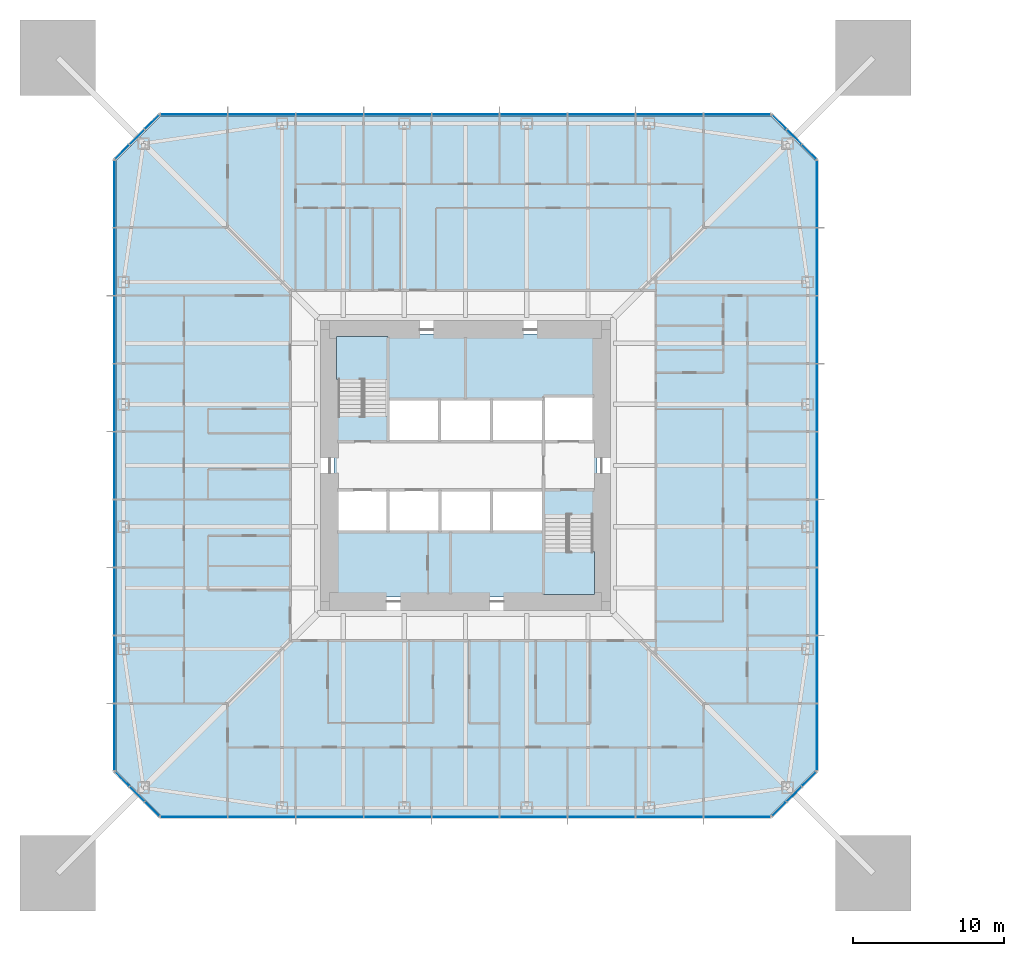
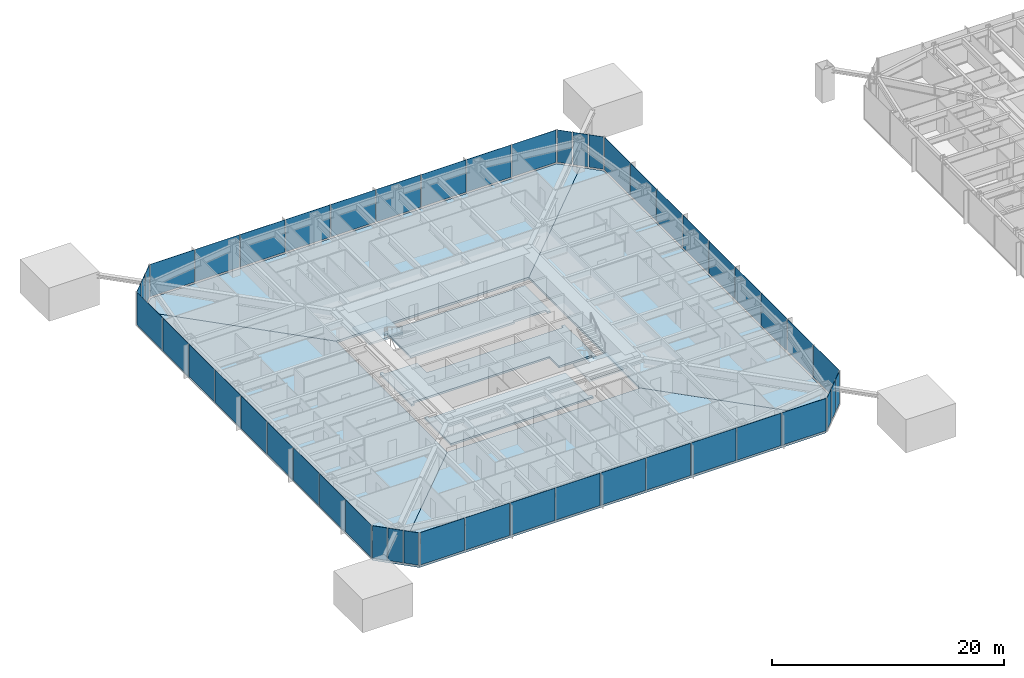
# One storey, part 12 of 26: 48 plates, 9 slabs, 10 elements without a shape of their own.
"""IFC4 building model written with IfcOpenShell, lengths in metres."""

from ifc_helpers import new_model, si_unit, direction, frame, origin, origin_2d, place, context, subcontext, project, spatial, polyline, rectangle, outline, extrude, material, layer, layer_set, constituent, constituent_set, type_object, element, aggregate, save


model = new_model("IFC4")

# Units and contexts
model_context = context("Model", 3, precision=1e-05, world=origin(), true_north=direction((0.0, 1.0)))
body_context = subcontext(model_context, "Body", "Model", "MODEL_VIEW")
ifc_project = project(units=[si_unit("LENGTHUNIT", "METRE"), si_unit("AREAUNIT", "SQUARE_METRE"), si_unit("VOLUMEUNIT", "CUBIC_METRE"), si_unit("PLANEANGLEUNIT", "RADIAN"), si_unit("MASSUNIT", "GRAM", prefix="KILO")], contexts=[model_context])

# Site, building, storey
site_placement = place(None, origin())
site = spatial("IfcSite", under=ifc_project, at=site_placement, CompositionType="ELEMENT")
building_placement = place(site_placement, origin())
building = spatial("IfcBuilding", under=site, at=building_placement, Name="Iwan Alto Co-Living Towers", CompositionType="ELEMENT")
storey_placement = place(building_placement, frame((0.0, 0.0, 67.5)))
storey = spatial("IfcBuildingStorey", under=building, at=storey_placement, Name="L18", CompositionType="ELEMENT", Elevation=67.5)

# Slabs
ifc_material_1 = material(Name="Concrete f'c 30 MPa", Category="concrete")
ifc_layer_1 = layer(ifc_material_1, 0.199951171875)
ifc_layer_set_1 = layer_set([ifc_layer_1], Name="CORE FLOOR SLAB 200")
slab_type_1 = type_object("IfcSlabType", Name="CORE FLOOR SLAB 200", PredefinedType="FLOOR", material=ifc_layer_set_1)
slab_1_placement = place(storey_placement, frame((0.0, 0.0, -0.199951171875)))
element("IfcSlab", 1, at=slab_1_placement, inside=storey, type_object=slab_type_1, Name="T1 core floor L18", PredefinedType="FLOOR", context=body_context, shape_type="SweptSolid", body=[
    extrude(outline(polyline([(8.699951171875, -3.580078125), (8.39990234375, -3.580078125), (8.39990234375, -3.27001953125), (5.14990234375, -3.27001953125), (5.14990234375, -1.60009765625), (1.72509765625, -1.60009765625), (-1.699951171875, -1.60009765625), (-5.125, -1.60009765625), (-8.39990234375, -1.60009765625), (-8.39990234375, -1.909912109375), (-8.699951171875, -1.909912109375), (-8.699951171875, 3.580078125), (-8.39990234375, 3.580078125), (-8.39990234375, 3.27001953125), (-5.14990234375, 3.27001953125), (-5.14990234375, 1.60009765625), (-1.717041015625, 1.60009765625), (1.717041015625, 1.60009765625), (5.14990234375, 1.60009765625), (8.39990234375, 1.60009765625), (8.39990234375, 1.909912109375), (8.699951171875, 1.909912109375), (8.699951171875, -3.580078125)])), origin(), (0.0, 0.0, 1.0), 0.199951171875),
])
slab_2_placement = place(storey_placement, frame((0.0, 0.0, -0.199951171875)))
element("IfcSlab", 2, at=slab_2_placement, inside=storey, type_object=slab_type_1, Name="T1 core floor L18", PredefinedType="FLOOR", context=body_context, shape_type="SweptSolid", body=[
    extrude(outline(polyline([(-1.699951171875, -4.39990234375), (1.72509765625, -4.39990234375), (5.14990234375, -4.39990234375), (5.14990234375, -8.39990234375), (5.4599609375, -8.39990234375), (5.4599609375, -8.699951171875), (-8.699951171875, -8.699951171875), (-8.699951171875, -4.090087890625), (-8.39990234375, -4.090087890625), (-8.39990234375, -4.39990234375), (-5.125, -4.39990234375), (-1.699951171875, -4.39990234375)])), origin(), (0.0, 0.0, 1.0), 0.199951171875),
])
slab_3_placement = place(storey_placement, frame((0.0, 0.0, -0.199951171875)))
element("IfcSlab", 3, at=slab_3_placement, inside=storey, type_object=slab_type_1, Name="T1 core floor L18", PredefinedType="FLOOR", context=body_context, shape_type="SweptSolid", body=[
    extrude(outline(polyline([(1.717041015625, 4.39990234375), (-1.717041015625, 4.39990234375), (-5.14990234375, 4.39990234375), (-5.14990234375, 8.39990234375), (-5.4599609375, 8.39990234375), (-5.4599609375, 8.699951171875), (8.699951171875, 8.699951171875), (8.699951171875, 4.2900390625), (8.39990234375, 4.2900390625), (8.39990234375, 4.60009765625), (5.14990234375, 4.60009765625), (5.14990234375, 4.39990234375), (1.717041015625, 4.39990234375)])), origin(), (0.0, 0.0, 1.0), 0.199951171875),
])

# Curtain wall, plates
ifc_material_2 = material(Name="Bronze aluminium unitised frame", Category="aluminium")
curtain_wall_type_1 = type_object("IfcCurtainWallType", Name="CURTAIN WALL CW-A", PredefinedType="NOTDEFINED", material=ifc_material_2)
curtain_wall_1_placement = place(storey_placement, origin())
curtain_wall_1 = element("IfcCurtainWall", 4, at=curtain_wall_1_placement, inside=storey, type_object=curtain_wall_type_1, Name="T1 curtain wall S L18", PredefinedType="NOTDEFINED")
ifc_material_3 = material(Name="Bronze-tinted insulating glass", Category="glass")
ifc_layer_2 = layer(ifc_material_3, 0.031982421875)
ifc_layer_set_2 = layer_set([ifc_layer_2], Name="CW-A PANEL TINTED IGU 32")
plate_type_1 = type_object("IfcPlateType", Name="CW-A PANEL TINTED IGU 32", PredefinedType="CURTAIN_PANEL", material=ifc_layer_set_2)
plate_1_placement = place(storey_placement, frame((-17.97998046875, -23.25, 0.10009765625), z_axis=(0.0, 0.0, 1.0), x_axis=(1.0, 0.0, 0.0)))
plate_1 = element("IfcPlate", 5, at=plate_1_placement, type_object=plate_type_1, Name="CW-A panel 1.1", PredefinedType="CURTAIN_PANEL", context=body_context, shape_type="SweptSolid", body=[
    extrude(rectangle(XDim=4.3798828125, YDim=0.031982421875, at=origin_2d()), origin(), (0.0, 0.0, 1.0), 3.39990234375),
])
plate_2_placement = place(storey_placement, frame((-13.5, -23.25, 0.10009765625), z_axis=(0.0, 0.0, 1.0), x_axis=(1.0, 0.0, 0.0)))
plate_2 = element("IfcPlate", 6, at=plate_2_placement, type_object=plate_type_1, Name="CW-A panel 2.1", PredefinedType="CURTAIN_PANEL", context=body_context, shape_type="SweptSolid", body=[
    extrude(rectangle(XDim=4.419921875, YDim=0.031982421875, at=origin_2d()), origin(), (0.0, 0.0, 1.0), 3.39990234375),
])
plate_3_placement = place(storey_placement, frame((-9.0, -23.25, 0.10009765625), z_axis=(0.0, 0.0, 1.0), x_axis=(1.0, 0.0, 0.0)))
plate_3 = element("IfcPlate", 7, at=plate_3_placement, type_object=plate_type_1, Name="CW-A panel 3.1", PredefinedType="CURTAIN_PANEL", context=body_context, shape_type="SweptSolid", body=[
    extrude(rectangle(XDim=4.419921875, YDim=0.031982421875, at=origin_2d()), origin(), (0.0, 0.0, 1.0), 3.39990234375),
])
plate_4_placement = place(storey_placement, frame((-4.5, -23.25, 0.10009765625), z_axis=(0.0, 0.0, 1.0), x_axis=(1.0, 0.0, 0.0)))
plate_4 = element("IfcPlate", 8, at=plate_4_placement, type_object=plate_type_1, Name="CW-A panel 4.1", PredefinedType="CURTAIN_PANEL", context=body_context, shape_type="SweptSolid", body=[
    extrude(rectangle(XDim=4.419921875, YDim=0.031982421875, at=origin_2d()), origin(), (0.0, 0.0, 1.0), 3.39990234375),
])
plate_5_placement = place(storey_placement, frame((0.0, -23.25, 0.10009765625), z_axis=(0.0, 0.0, 1.0), x_axis=(1.0, 0.0, 0.0)))
plate_5 = element("IfcPlate", 9, at=plate_5_placement, type_object=plate_type_1, Name="CW-A panel 5.1", PredefinedType="CURTAIN_PANEL", context=body_context, shape_type="SweptSolid", body=[
    extrude(rectangle(XDim=4.419921875, YDim=0.031982421875, at=origin_2d()), origin(), (0.0, 0.0, 1.0), 3.39990234375),
])
plate_6_placement = place(storey_placement, frame((4.5, -23.25, 0.10009765625), z_axis=(0.0, 0.0, 1.0), x_axis=(1.0, 0.0, 0.0)))
plate_6 = element("IfcPlate", 10, at=plate_6_placement, type_object=plate_type_1, Name="CW-A panel 6.1", PredefinedType="CURTAIN_PANEL", context=body_context, shape_type="SweptSolid", body=[
    extrude(rectangle(XDim=4.419921875, YDim=0.031982421875, at=origin_2d()), origin(), (0.0, 0.0, 1.0), 3.39990234375),
])
plate_7_placement = place(storey_placement, frame((9.0, -23.25, 0.10009765625), z_axis=(0.0, 0.0, 1.0), x_axis=(1.0, 0.0, 0.0)))
plate_7 = element("IfcPlate", 11, at=plate_7_placement, type_object=plate_type_1, Name="CW-A panel 7.1", PredefinedType="CURTAIN_PANEL", context=body_context, shape_type="SweptSolid", body=[
    extrude(rectangle(XDim=4.419921875, YDim=0.031982421875, at=origin_2d()), origin(), (0.0, 0.0, 1.0), 3.39990234375),
])
plate_8_placement = place(storey_placement, frame((13.5, -23.25, 0.10009765625), z_axis=(0.0, 0.0, 1.0), x_axis=(1.0, 0.0, 0.0)))
plate_8 = element("IfcPlate", 12, at=plate_8_placement, type_object=plate_type_1, Name="CW-A panel 8.1", PredefinedType="CURTAIN_PANEL", context=body_context, shape_type="SweptSolid", body=[
    extrude(rectangle(XDim=4.419921875, YDim=0.031982421875, at=origin_2d()), origin(), (0.0, 0.0, 1.0), 3.39990234375),
])
plate_9_placement = place(storey_placement, frame((17.97998046875, -23.25, 0.10009765625), z_axis=(0.0, 0.0, 1.0), x_axis=(1.0, 0.0, 0.0)))
plate_9 = element("IfcPlate", 13, at=plate_9_placement, type_object=plate_type_1, Name="CW-A panel 9.1", PredefinedType="CURTAIN_PANEL", context=body_context, shape_type="SweptSolid", body=[
    extrude(rectangle(XDim=4.3798828125, YDim=0.031982421875, at=origin_2d()), origin(), (0.0, 0.0, 1.0), 3.39990234375),
])
aggregate(curtain_wall_1, [plate_1, plate_2, plate_3, plate_4, plate_5, plate_6, plate_7, plate_8, plate_9])

curtain_wall_2_placement = place(storey_placement, origin())
curtain_wall_2 = element("IfcCurtainWall", 14, at=curtain_wall_2_placement, inside=storey, type_object=curtain_wall_type_1, Name="T1 curtain wall E L18", PredefinedType="NOTDEFINED")
plate_10_placement = place(storey_placement, frame((23.25, -17.97998046875, 0.10009765625), z_axis=(0.0, 0.0, 1.0), x_axis=(0.0, 1.0, 0.0)))
plate_10 = element("IfcPlate", 15, at=plate_10_placement, type_object=plate_type_1, Name="CW-A panel 1.1", PredefinedType="CURTAIN_PANEL", context=body_context, shape_type="SweptSolid", body=[
    extrude(rectangle(XDim=4.3798828125, YDim=0.031982421875, at=origin_2d()), origin(), (0.0, 0.0, 1.0), 3.39990234375),
])
plate_11_placement = place(storey_placement, frame((23.25, -13.5, 0.10009765625), z_axis=(0.0, 0.0, 1.0), x_axis=(0.0, 1.0, 0.0)))
plate_11 = element("IfcPlate", 16, at=plate_11_placement, type_object=plate_type_1, Name="CW-A panel 2.1", PredefinedType="CURTAIN_PANEL", context=body_context, shape_type="SweptSolid", body=[
    extrude(rectangle(XDim=4.419921875, YDim=0.031982421875, at=origin_2d()), origin(), (0.0, 0.0, 1.0), 3.39990234375),
])
plate_12_placement = place(storey_placement, frame((23.25, -9.0, 0.10009765625), z_axis=(0.0, 0.0, 1.0), x_axis=(0.0, 1.0, 0.0)))
plate_12 = element("IfcPlate", 17, at=plate_12_placement, type_object=plate_type_1, Name="CW-A panel 3.1", PredefinedType="CURTAIN_PANEL", context=body_context, shape_type="SweptSolid", body=[
    extrude(rectangle(XDim=4.419921875, YDim=0.031982421875, at=origin_2d()), origin(), (0.0, 0.0, 1.0), 3.39990234375),
])
plate_13_placement = place(storey_placement, frame((23.25, -4.5, 0.10009765625), z_axis=(0.0, 0.0, 1.0), x_axis=(0.0, 1.0, 0.0)))
plate_13 = element("IfcPlate", 18, at=plate_13_placement, type_object=plate_type_1, Name="CW-A panel 4.1", PredefinedType="CURTAIN_PANEL", context=body_context, shape_type="SweptSolid", body=[
    extrude(rectangle(XDim=4.419921875, YDim=0.031982421875, at=origin_2d()), origin(), (0.0, 0.0, 1.0), 3.39990234375),
])
plate_14_placement = place(storey_placement, frame((23.25, 0.0, 0.10009765625), z_axis=(0.0, 0.0, 1.0), x_axis=(0.0, 1.0, 0.0)))
plate_14 = element("IfcPlate", 19, at=plate_14_placement, type_object=plate_type_1, Name="CW-A panel 5.1", PredefinedType="CURTAIN_PANEL", context=body_context, shape_type="SweptSolid", body=[
    extrude(rectangle(XDim=4.419921875, YDim=0.031982421875, at=origin_2d()), origin(), (0.0, 0.0, 1.0), 3.39990234375),
])
plate_15_placement = place(storey_placement, frame((23.25, 4.5, 0.10009765625), z_axis=(0.0, 0.0, 1.0), x_axis=(0.0, 1.0, 0.0)))
plate_15 = element("IfcPlate", 20, at=plate_15_placement, type_object=plate_type_1, Name="CW-A panel 6.1", PredefinedType="CURTAIN_PANEL", context=body_context, shape_type="SweptSolid", body=[
    extrude(rectangle(XDim=4.419921875, YDim=0.031982421875, at=origin_2d()), origin(), (0.0, 0.0, 1.0), 3.39990234375),
])
plate_16_placement = place(storey_placement, frame((23.25, 9.0, 0.10009765625), z_axis=(0.0, 0.0, 1.0), x_axis=(0.0, 1.0, 0.0)))
plate_16 = element("IfcPlate", 21, at=plate_16_placement, type_object=plate_type_1, Name="CW-A panel 7.1", PredefinedType="CURTAIN_PANEL", context=body_context, shape_type="SweptSolid", body=[
    extrude(rectangle(XDim=4.419921875, YDim=0.031982421875, at=origin_2d()), origin(), (0.0, 0.0, 1.0), 3.39990234375),
])
plate_17_placement = place(storey_placement, frame((23.25, 13.5, 0.10009765625), z_axis=(0.0, 0.0, 1.0), x_axis=(0.0, 1.0, 0.0)))
plate_17 = element("IfcPlate", 22, at=plate_17_placement, type_object=plate_type_1, Name="CW-A panel 8.1", PredefinedType="CURTAIN_PANEL", context=body_context, shape_type="SweptSolid", body=[
    extrude(rectangle(XDim=4.419921875, YDim=0.031982421875, at=origin_2d()), origin(), (0.0, 0.0, 1.0), 3.39990234375),
])
plate_18_placement = place(storey_placement, frame((23.25, 17.97998046875, 0.10009765625), z_axis=(0.0, 0.0, 1.0), x_axis=(0.0, 1.0, 0.0)))
plate_18 = element("IfcPlate", 23, at=plate_18_placement, type_object=plate_type_1, Name="CW-A panel 9.1", PredefinedType="CURTAIN_PANEL", context=body_context, shape_type="SweptSolid", body=[
    extrude(rectangle(XDim=4.3798828125, YDim=0.031982421875, at=origin_2d()), origin(), (0.0, 0.0, 1.0), 3.39990234375),
])
aggregate(curtain_wall_2, [plate_10, plate_11, plate_12, plate_13, plate_14, plate_15, plate_16, plate_17, plate_18])

curtain_wall_3_placement = place(storey_placement, origin())
curtain_wall_3 = element("IfcCurtainWall", 24, at=curtain_wall_3_placement, inside=storey, type_object=curtain_wall_type_1, Name="T1 curtain wall N L18", PredefinedType="NOTDEFINED")
plate_19_placement = place(storey_placement, frame((17.97998046875, 23.25, 0.10009765625), z_axis=(0.0, 0.0, 1.0), x_axis=(-1.0, 0.0, 0.0)))
plate_19 = element("IfcPlate", 25, at=plate_19_placement, type_object=plate_type_1, Name="CW-A panel 1.1", PredefinedType="CURTAIN_PANEL", context=body_context, shape_type="SweptSolid", body=[
    extrude(rectangle(XDim=4.3798828125, YDim=0.031982421875, at=origin_2d()), origin(), (0.0, 0.0, 1.0), 3.39990234375),
])
plate_20_placement = place(storey_placement, frame((13.5, 23.25, 0.10009765625), z_axis=(0.0, 0.0, 1.0), x_axis=(-1.0, 0.0, 0.0)))
plate_20 = element("IfcPlate", 26, at=plate_20_placement, type_object=plate_type_1, Name="CW-A panel 2.1", PredefinedType="CURTAIN_PANEL", context=body_context, shape_type="SweptSolid", body=[
    extrude(rectangle(XDim=4.419921875, YDim=0.031982421875, at=origin_2d()), origin(), (0.0, 0.0, 1.0), 3.39990234375),
])
plate_21_placement = place(storey_placement, frame((9.0, 23.25, 0.10009765625), z_axis=(0.0, 0.0, 1.0), x_axis=(-1.0, 0.0, 0.0)))
plate_21 = element("IfcPlate", 27, at=plate_21_placement, type_object=plate_type_1, Name="CW-A panel 3.1", PredefinedType="CURTAIN_PANEL", context=body_context, shape_type="SweptSolid", body=[
    extrude(rectangle(XDim=4.419921875, YDim=0.031982421875, at=origin_2d()), origin(), (0.0, 0.0, 1.0), 3.39990234375),
])
plate_22_placement = place(storey_placement, frame((4.5, 23.25, 0.10009765625), z_axis=(0.0, 0.0, 1.0), x_axis=(-1.0, 0.0, 0.0)))
plate_22 = element("IfcPlate", 28, at=plate_22_placement, type_object=plate_type_1, Name="CW-A panel 4.1", PredefinedType="CURTAIN_PANEL", context=body_context, shape_type="SweptSolid", body=[
    extrude(rectangle(XDim=4.419921875, YDim=0.031982421875, at=origin_2d()), origin(), (0.0, 0.0, 1.0), 3.39990234375),
])
plate_23_placement = place(storey_placement, frame((0.0, 23.25, 0.10009765625), z_axis=(0.0, 0.0, 1.0), x_axis=(-1.0, 0.0, 0.0)))
plate_23 = element("IfcPlate", 29, at=plate_23_placement, type_object=plate_type_1, Name="CW-A panel 5.1", PredefinedType="CURTAIN_PANEL", context=body_context, shape_type="SweptSolid", body=[
    extrude(rectangle(XDim=4.419921875, YDim=0.031982421875, at=origin_2d()), origin(), (0.0, 0.0, 1.0), 3.39990234375),
])
plate_24_placement = place(storey_placement, frame((-4.5, 23.25, 0.10009765625), z_axis=(0.0, 0.0, 1.0), x_axis=(-1.0, 0.0, 0.0)))
plate_24 = element("IfcPlate", 30, at=plate_24_placement, type_object=plate_type_1, Name="CW-A panel 6.1", PredefinedType="CURTAIN_PANEL", context=body_context, shape_type="SweptSolid", body=[
    extrude(rectangle(XDim=4.419921875, YDim=0.031982421875, at=origin_2d()), origin(), (0.0, 0.0, 1.0), 3.39990234375),
])
plate_25_placement = place(storey_placement, frame((-9.0, 23.25, 0.10009765625), z_axis=(0.0, 0.0, 1.0), x_axis=(-1.0, 0.0, 0.0)))
plate_25 = element("IfcPlate", 31, at=plate_25_placement, type_object=plate_type_1, Name="CW-A panel 7.1", PredefinedType="CURTAIN_PANEL", context=body_context, shape_type="SweptSolid", body=[
    extrude(rectangle(XDim=4.419921875, YDim=0.031982421875, at=origin_2d()), origin(), (0.0, 0.0, 1.0), 3.39990234375),
])
plate_26_placement = place(storey_placement, frame((-13.5, 23.25, 0.10009765625), z_axis=(0.0, 0.0, 1.0), x_axis=(-1.0, 0.0, 0.0)))
plate_26 = element("IfcPlate", 32, at=plate_26_placement, type_object=plate_type_1, Name="CW-A panel 8.1", PredefinedType="CURTAIN_PANEL", context=body_context, shape_type="SweptSolid", body=[
    extrude(rectangle(XDim=4.419921875, YDim=0.031982421875, at=origin_2d()), origin(), (0.0, 0.0, 1.0), 3.39990234375),
])
plate_27_placement = place(storey_placement, frame((-17.97998046875, 23.25, 0.10009765625), z_axis=(0.0, 0.0, 1.0), x_axis=(-1.0, 0.0, 0.0)))
plate_27 = element("IfcPlate", 33, at=plate_27_placement, type_object=plate_type_1, Name="CW-A panel 9.1", PredefinedType="CURTAIN_PANEL", context=body_context, shape_type="SweptSolid", body=[
    extrude(rectangle(XDim=4.3798828125, YDim=0.031982421875, at=origin_2d()), origin(), (0.0, 0.0, 1.0), 3.39990234375),
])
aggregate(curtain_wall_3, [plate_19, plate_20, plate_21, plate_22, plate_23, plate_24, plate_25, plate_26, plate_27])

curtain_wall_4_placement = place(storey_placement, origin())
curtain_wall_4 = element("IfcCurtainWall", 34, at=curtain_wall_4_placement, inside=storey, type_object=curtain_wall_type_1, Name="T1 curtain wall W L18", PredefinedType="NOTDEFINED")
plate_28_placement = place(storey_placement, frame((-23.25, 17.97998046875, 0.10009765625), z_axis=(0.0, 0.0, 1.0), x_axis=(0.0, -1.0, 0.0)))
plate_28 = element("IfcPlate", 35, at=plate_28_placement, type_object=plate_type_1, Name="CW-A panel 1.1", PredefinedType="CURTAIN_PANEL", context=body_context, shape_type="SweptSolid", body=[
    extrude(rectangle(XDim=4.3798828125, YDim=0.031982421875, at=origin_2d()), origin(), (0.0, 0.0, 1.0), 3.39990234375),
])
plate_29_placement = place(storey_placement, frame((-23.25, 13.5, 0.10009765625), z_axis=(0.0, 0.0, 1.0), x_axis=(0.0, -1.0, 0.0)))
plate_29 = element("IfcPlate", 36, at=plate_29_placement, type_object=plate_type_1, Name="CW-A panel 2.1", PredefinedType="CURTAIN_PANEL", context=body_context, shape_type="SweptSolid", body=[
    extrude(rectangle(XDim=4.419921875, YDim=0.031982421875, at=origin_2d()), origin(), (0.0, 0.0, 1.0), 3.39990234375),
])
plate_30_placement = place(storey_placement, frame((-23.25, 9.0, 0.10009765625), z_axis=(0.0, 0.0, 1.0), x_axis=(0.0, -1.0, 0.0)))
plate_30 = element("IfcPlate", 37, at=plate_30_placement, type_object=plate_type_1, Name="CW-A panel 3.1", PredefinedType="CURTAIN_PANEL", context=body_context, shape_type="SweptSolid", body=[
    extrude(rectangle(XDim=4.419921875, YDim=0.031982421875, at=origin_2d()), origin(), (0.0, 0.0, 1.0), 3.39990234375),
])
plate_31_placement = place(storey_placement, frame((-23.25, 4.5, 0.10009765625), z_axis=(0.0, 0.0, 1.0), x_axis=(0.0, -1.0, 0.0)))
plate_31 = element("IfcPlate", 38, at=plate_31_placement, type_object=plate_type_1, Name="CW-A panel 4.1", PredefinedType="CURTAIN_PANEL", context=body_context, shape_type="SweptSolid", body=[
    extrude(rectangle(XDim=4.419921875, YDim=0.031982421875, at=origin_2d()), origin(), (0.0, 0.0, 1.0), 3.39990234375),
])
plate_32_placement = place(storey_placement, frame((-23.25, 0.0, 0.10009765625), z_axis=(0.0, 0.0, 1.0), x_axis=(0.0, -1.0, 0.0)))
plate_32 = element("IfcPlate", 39, at=plate_32_placement, type_object=plate_type_1, Name="CW-A panel 5.1", PredefinedType="CURTAIN_PANEL", context=body_context, shape_type="SweptSolid", body=[
    extrude(rectangle(XDim=4.419921875, YDim=0.031982421875, at=origin_2d()), origin(), (0.0, 0.0, 1.0), 3.39990234375),
])
plate_33_placement = place(storey_placement, frame((-23.25, -4.5, 0.10009765625), z_axis=(0.0, 0.0, 1.0), x_axis=(0.0, -1.0, 0.0)))
plate_33 = element("IfcPlate", 40, at=plate_33_placement, type_object=plate_type_1, Name="CW-A panel 6.1", PredefinedType="CURTAIN_PANEL", context=body_context, shape_type="SweptSolid", body=[
    extrude(rectangle(XDim=4.419921875, YDim=0.031982421875, at=origin_2d()), origin(), (0.0, 0.0, 1.0), 3.39990234375),
])
plate_34_placement = place(storey_placement, frame((-23.25, -9.0, 0.10009765625), z_axis=(0.0, 0.0, 1.0), x_axis=(0.0, -1.0, 0.0)))
plate_34 = element("IfcPlate", 41, at=plate_34_placement, type_object=plate_type_1, Name="CW-A panel 7.1", PredefinedType="CURTAIN_PANEL", context=body_context, shape_type="SweptSolid", body=[
    extrude(rectangle(XDim=4.419921875, YDim=0.031982421875, at=origin_2d()), origin(), (0.0, 0.0, 1.0), 3.39990234375),
])
plate_35_placement = place(storey_placement, frame((-23.25, -13.5, 0.10009765625), z_axis=(0.0, 0.0, 1.0), x_axis=(0.0, -1.0, 0.0)))
plate_35 = element("IfcPlate", 42, at=plate_35_placement, type_object=plate_type_1, Name="CW-A panel 8.1", PredefinedType="CURTAIN_PANEL", context=body_context, shape_type="SweptSolid", body=[
    extrude(rectangle(XDim=4.419921875, YDim=0.031982421875, at=origin_2d()), origin(), (0.0, 0.0, 1.0), 3.39990234375),
])
plate_36_placement = place(storey_placement, frame((-23.25, -17.97998046875, 0.10009765625), z_axis=(0.0, 0.0, 1.0), x_axis=(0.0, -1.0, 0.0)))
plate_36 = element("IfcPlate", 43, at=plate_36_placement, type_object=plate_type_1, Name="CW-A panel 9.1", PredefinedType="CURTAIN_PANEL", context=body_context, shape_type="SweptSolid", body=[
    extrude(rectangle(XDim=4.3798828125, YDim=0.031982421875, at=origin_2d()), origin(), (0.0, 0.0, 1.0), 3.39990234375),
])
aggregate(curtain_wall_4, [plate_28, plate_29, plate_30, plate_31, plate_32, plate_33, plate_34, plate_35, plate_36])

ifc_material_4 = material(Name="Bronze aluminium unitised frame", Category="aluminium")
curtain_wall_type_2 = type_object("IfcCurtainWallType", Name="CURTAIN WALL CW-B", PredefinedType="NOTDEFINED", material=ifc_material_4)
curtain_wall_5_placement = place(storey_placement, origin())
curtain_wall_5 = element("IfcCurtainWall", 44, at=curtain_wall_5_placement, inside=storey, type_object=curtain_wall_type_2, Name="T1 chamfer curtain wall SE L18", PredefinedType="NOTDEFINED")
ifc_material_5 = material(Name="Bronze-tinted insulating glass", Category="glass")
ifc_layer_3 = layer(ifc_material_5, 0.031982421875)
ifc_layer_set_3 = layer_set([ifc_layer_3], Name="CW-B PANEL TINTED IGU 32")
plate_type_2 = type_object("IfcPlateType", Name="CW-B PANEL TINTED IGU 32", PredefinedType="CURTAIN_PANEL", material=ifc_layer_set_3)
plate_37_placement = place(storey_placement, frame((20.76416015625, -22.73583984375, 0.10009765625), z_axis=(0.0, 0.0, 1.0), x_axis=(0.707106781187, 0.707106781187, 0.0)))
plate_37 = element("IfcPlate", 45, at=plate_37_placement, type_object=plate_type_2, Name="CW-B panel 1.1", PredefinedType="CURTAIN_PANEL", context=body_context, shape_type="SweptSolid", body=[
    extrude(rectangle(XDim=1.294189453125, YDim=0.031982421875, at=origin_2d()), origin(), (0.0, 0.0, 1.0), 3.39990234375),
])
plate_38_placement = place(storey_placement, frame((21.75, -21.75, 0.10009765625), z_axis=(0.0, 0.0, 1.0), x_axis=(0.707106781187, 0.707106781187, 0.0)))
plate_38 = element("IfcPlate", 46, at=plate_38_placement, type_object=plate_type_2, Name="CW-B panel 2.1", PredefinedType="CURTAIN_PANEL", context=body_context, shape_type="SweptSolid", body=[
    extrude(rectangle(XDim=1.334228515625, YDim=0.031982421875, at=origin_2d()), origin(), (0.0, 0.0, 1.0), 3.39990234375),
])
plate_39_placement = place(storey_placement, frame((22.73583984375, -20.76416015625, 0.10009765625), z_axis=(0.0, 0.0, 1.0), x_axis=(0.707106781187, 0.707106781187, 0.0)))
plate_39 = element("IfcPlate", 47, at=plate_39_placement, type_object=plate_type_2, Name="CW-B panel 3.1", PredefinedType="CURTAIN_PANEL", context=body_context, shape_type="SweptSolid", body=[
    extrude(rectangle(XDim=1.294189453125, YDim=0.031982421875, at=origin_2d()), origin(), (0.0, 0.0, 1.0), 3.39990234375),
])
aggregate(curtain_wall_5, [plate_37, plate_38, plate_39])

curtain_wall_6_placement = place(storey_placement, origin())
curtain_wall_6 = element("IfcCurtainWall", 48, at=curtain_wall_6_placement, inside=storey, type_object=curtain_wall_type_2, Name="T1 chamfer curtain wall NE L18", PredefinedType="NOTDEFINED")
plate_40_placement = place(storey_placement, frame((22.73583984375, 20.76416015625, 0.10009765625), z_axis=(0.0, 0.0, 1.0), x_axis=(-0.707106781187, 0.707106781187, 0.0)))
plate_40 = element("IfcPlate", 49, at=plate_40_placement, type_object=plate_type_2, Name="CW-B panel 1.1", PredefinedType="CURTAIN_PANEL", context=body_context, shape_type="SweptSolid", body=[
    extrude(rectangle(XDim=1.294189453125, YDim=0.031982421875, at=origin_2d()), origin(), (0.0, 0.0, 1.0), 3.39990234375),
])
plate_41_placement = place(storey_placement, frame((21.75, 21.75, 0.10009765625), z_axis=(0.0, 0.0, 1.0), x_axis=(-0.707106781187, 0.707106781187, 0.0)))
plate_41 = element("IfcPlate", 50, at=plate_41_placement, type_object=plate_type_2, Name="CW-B panel 2.1", PredefinedType="CURTAIN_PANEL", context=body_context, shape_type="SweptSolid", body=[
    extrude(rectangle(XDim=1.334228515625, YDim=0.031982421875, at=origin_2d()), origin(), (0.0, 0.0, 1.0), 3.39990234375),
])
plate_42_placement = place(storey_placement, frame((20.76416015625, 22.73583984375, 0.10009765625), z_axis=(0.0, 0.0, 1.0), x_axis=(-0.707106781187, 0.707106781187, 0.0)))
plate_42 = element("IfcPlate", 51, at=plate_42_placement, type_object=plate_type_2, Name="CW-B panel 3.1", PredefinedType="CURTAIN_PANEL", context=body_context, shape_type="SweptSolid", body=[
    extrude(rectangle(XDim=1.294189453125, YDim=0.031982421875, at=origin_2d()), origin(), (0.0, 0.0, 1.0), 3.39990234375),
])
aggregate(curtain_wall_6, [plate_40, plate_41, plate_42])

curtain_wall_7_placement = place(storey_placement, origin())
curtain_wall_7 = element("IfcCurtainWall", 52, at=curtain_wall_7_placement, inside=storey, type_object=curtain_wall_type_2, Name="T1 chamfer curtain wall NW L18", PredefinedType="NOTDEFINED")
plate_43_placement = place(storey_placement, frame((-20.76416015625, 22.73583984375, 0.10009765625), z_axis=(0.0, 0.0, 1.0), x_axis=(-0.707106781187, -0.707106781187, 0.0)))
plate_43 = element("IfcPlate", 53, at=plate_43_placement, type_object=plate_type_2, Name="CW-B panel 1.1", PredefinedType="CURTAIN_PANEL", context=body_context, shape_type="SweptSolid", body=[
    extrude(rectangle(XDim=1.294189453125, YDim=0.031982421875, at=origin_2d()), origin(), (0.0, 0.0, 1.0), 3.39990234375),
])
plate_44_placement = place(storey_placement, frame((-21.75, 21.75, 0.10009765625), z_axis=(0.0, 0.0, 1.0), x_axis=(-0.707106781187, -0.707106781187, 0.0)))
plate_44 = element("IfcPlate", 54, at=plate_44_placement, type_object=plate_type_2, Name="CW-B panel 2.1", PredefinedType="CURTAIN_PANEL", context=body_context, shape_type="SweptSolid", body=[
    extrude(rectangle(XDim=1.334228515625, YDim=0.031982421875, at=origin_2d()), origin(), (0.0, 0.0, 1.0), 3.39990234375),
])
plate_45_placement = place(storey_placement, frame((-22.73583984375, 20.76416015625, 0.10009765625), z_axis=(0.0, 0.0, 1.0), x_axis=(-0.707106781187, -0.707106781187, 0.0)))
plate_45 = element("IfcPlate", 55, at=plate_45_placement, type_object=plate_type_2, Name="CW-B panel 3.1", PredefinedType="CURTAIN_PANEL", context=body_context, shape_type="SweptSolid", body=[
    extrude(rectangle(XDim=1.294189453125, YDim=0.031982421875, at=origin_2d()), origin(), (0.0, 0.0, 1.0), 3.39990234375),
])
aggregate(curtain_wall_7, [plate_43, plate_44, plate_45])

curtain_wall_8_placement = place(storey_placement, origin())
curtain_wall_8 = element("IfcCurtainWall", 56, at=curtain_wall_8_placement, inside=storey, type_object=curtain_wall_type_2, Name="T1 chamfer curtain wall SW L18", PredefinedType="NOTDEFINED")
plate_46_placement = place(storey_placement, frame((-22.73583984375, -20.76416015625, 0.10009765625), z_axis=(0.0, 0.0, 1.0), x_axis=(0.707106781187, -0.707106781187, 0.0)))
plate_46 = element("IfcPlate", 57, at=plate_46_placement, type_object=plate_type_2, Name="CW-B panel 1.1", PredefinedType="CURTAIN_PANEL", context=body_context, shape_type="SweptSolid", body=[
    extrude(rectangle(XDim=1.294189453125, YDim=0.031982421875, at=origin_2d()), origin(), (0.0, 0.0, 1.0), 3.39990234375),
])
plate_47_placement = place(storey_placement, frame((-21.75, -21.75, 0.10009765625), z_axis=(0.0, 0.0, 1.0), x_axis=(0.707106781187, -0.707106781187, 0.0)))
plate_47 = element("IfcPlate", 58, at=plate_47_placement, type_object=plate_type_2, Name="CW-B panel 2.1", PredefinedType="CURTAIN_PANEL", context=body_context, shape_type="SweptSolid", body=[
    extrude(rectangle(XDim=1.334228515625, YDim=0.031982421875, at=origin_2d()), origin(), (0.0, 0.0, 1.0), 3.39990234375),
])
plate_48_placement = place(storey_placement, frame((-20.76416015625, -22.73583984375, 0.10009765625), z_axis=(0.0, 0.0, 1.0), x_axis=(0.707106781187, -0.707106781187, 0.0)))
plate_48 = element("IfcPlate", 59, at=plate_48_placement, type_object=plate_type_2, Name="CW-B panel 3.1", PredefinedType="CURTAIN_PANEL", context=body_context, shape_type="SweptSolid", body=[
    extrude(rectangle(XDim=1.294189453125, YDim=0.031982421875, at=origin_2d()), origin(), (0.0, 0.0, 1.0), 3.39990234375),
])
aggregate(curtain_wall_8, [plate_46, plate_47, plate_48])

# Stair, slab
ifc_material_6 = material(Name="Steel ASTM A36", Category="steel")
ifc_constituent_1 = constituent(ifc_material_6, Name="Stringers", Category="LoadBearing")
ifc_material_7 = material(Name="Concrete f'c 30 MPa", Category="concrete")
ifc_constituent_2 = constituent(ifc_material_7, Name="Tread fill", Category="Finish")
ifc_constituent_set = constituent_set(constituents=[ifc_constituent_1, ifc_constituent_2], Name="STAIR 3500 TWO-FLIGHT T1 CORE")
stair_type = type_object("IfcStairType", Name="STAIR 3500 TWO-FLIGHT T1 CORE", PredefinedType="HALF_TURN_STAIR", material=ifc_constituent_set)
stair_1_placement = place(storey_placement, origin())
stair_1 = element("IfcStair", 60, at=stair_1_placement, inside=storey, type_object=stair_type, Name="Stair T1-S1 L18 to L19", PredefinedType="HALF_TURN_STAIR")
ifc_material_8 = material(Name="Concrete f'c 30 MPa", Category="concrete")
ifc_layer_4 = layer(ifc_material_8, 0.199951171875)
ifc_layer_set_4 = layer_set([ifc_layer_4], Name="STAIR LANDING 200")
slab_type_2 = type_object("IfcSlabType", Name="STAIR LANDING 200", PredefinedType="LANDING", material=ifc_layer_set_4)
slab_4_placement = place(storey_placement, frame((0.0, 0.0, 1.550048828125)))
slab_4 = element("IfcSlab", 61, at=slab_4_placement, type_object=slab_type_2, Name="T1-S1 landing 1", PredefinedType="LANDING", context=body_context, shape_type="SweptSolid", body=[
    extrude(outline(polyline([(-8.550048828125, 5.68994140625), (-8.550048828125, 8.550048828125), (-5.14990234375, 8.550048828125), (-5.14990234375, 5.68994140625), (-8.550048828125, 5.68994140625)])), origin(), (0.0, 0.0, 1.0), 0.199951171875),
])
aggregate(stair_1, [slab_4])

stair_2_placement = place(storey_placement, origin())
stair_2 = element("IfcStair", 62, at=stair_2_placement, inside=storey, type_object=stair_type, Name="Stair T1-S2 L18 to L19", PredefinedType="HALF_TURN_STAIR")
slab_5_placement = place(storey_placement, frame((0.0, 0.0, 1.550048828125)))
slab_5 = element("IfcSlab", 63, at=slab_5_placement, type_object=slab_type_2, Name="T1-S2 landing 1", PredefinedType="LANDING", context=body_context, shape_type="SweptSolid", body=[
    extrude(outline(polyline([(5.14990234375, -5.68994140625), (5.14990234375, -8.550048828125), (8.550048828125, -8.550048828125), (8.550048828125, -5.68994140625), (5.14990234375, -5.68994140625)])), origin(), (0.0, 0.0, 1.0), 0.199951171875),
])
aggregate(stair_2, [slab_5])

# Slabs
ifc_material_9 = material(Name="Concrete f'c 30 MPa", Category="concrete")
ifc_layer_5 = layer(ifc_material_9, 0.22998046875)
ifc_layer_set_5 = layer_set([ifc_layer_5], Name="T1 FLOOR SLAB 230")
slab_type_3 = type_object("IfcSlabType", Name="T1 FLOOR SLAB 230", PredefinedType="FLOOR", material=ifc_layer_set_5)
slab_6_placement = place(storey_placement, frame((0.0, 0.0, -0.22998046875)))
element("IfcSlab", 64, at=slab_6_placement, inside=storey, type_object=slab_type_3, Name="T1 floor slab L18 S pour", PredefinedType="FLOOR", context=body_context, shape_type="SweptSolid", body=[
    extrude(outline(polyline([(20.19140625, -23.14990234375), (-20.19140625, -23.14990234375), (-21.670654296875, -21.670654296875), (-9.60009765625, -9.60009765625), (9.60009765625, -9.60009765625), (21.670654296875, -21.670654296875), (20.19140625, -23.14990234375)])), origin(), (0.0, 0.0, 1.0), 0.22998046875),
])
slab_7_placement = place(storey_placement, frame((0.0, 0.0, -0.22998046875)))
element("IfcSlab", 65, at=slab_7_placement, inside=storey, type_object=slab_type_3, Name="T1 floor slab L18 E pour", PredefinedType="FLOOR", context=body_context, shape_type="SweptSolid", body=[
    extrude(outline(polyline([(23.14990234375, 20.19140625), (23.14990234375, -20.19140625), (21.670654296875, -21.670654296875), (9.60009765625, -9.60009765625), (9.60009765625, 9.60009765625), (21.670654296875, 21.670654296875), (23.14990234375, 20.19140625)])), origin(), (0.0, 0.0, 1.0), 0.22998046875),
])
slab_8_placement = place(storey_placement, frame((0.0, 0.0, -0.22998046875)))
element("IfcSlab", 66, at=slab_8_placement, inside=storey, type_object=slab_type_3, Name="T1 floor slab L18 N pour", PredefinedType="FLOOR", context=body_context, shape_type="SweptSolid", body=[
    extrude(outline(polyline([(-20.19140625, 23.14990234375), (20.19140625, 23.14990234375), (21.670654296875, 21.670654296875), (9.60009765625, 9.60009765625), (-9.60009765625, 9.60009765625), (-21.670654296875, 21.670654296875), (-20.19140625, 23.14990234375)])), origin(), (0.0, 0.0, 1.0), 0.22998046875),
])
slab_9_placement = place(storey_placement, frame((0.0, 0.0, -0.22998046875)))
element("IfcSlab", 67, at=slab_9_placement, inside=storey, type_object=slab_type_3, Name="T1 floor slab L18 W pour", PredefinedType="FLOOR", context=body_context, shape_type="SweptSolid", body=[
    extrude(outline(polyline([(-23.14990234375, 20.19140625), (-21.670654296875, 21.670654296875), (-9.60009765625, 9.60009765625), (-9.60009765625, -9.60009765625), (-21.670654296875, -21.670654296875), (-23.14990234375, -20.19140625), (-23.14990234375, 20.19140625)])), origin(), (0.0, 0.0, 1.0), 0.22998046875),
])

save(model, "model.ifc")
